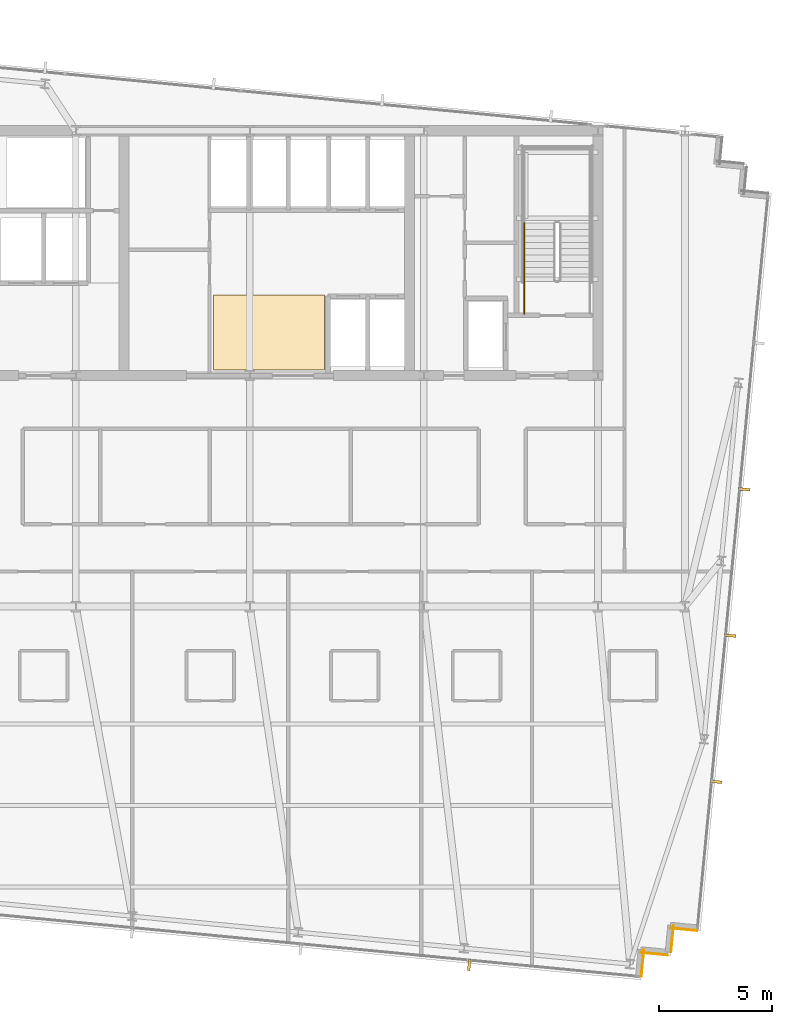
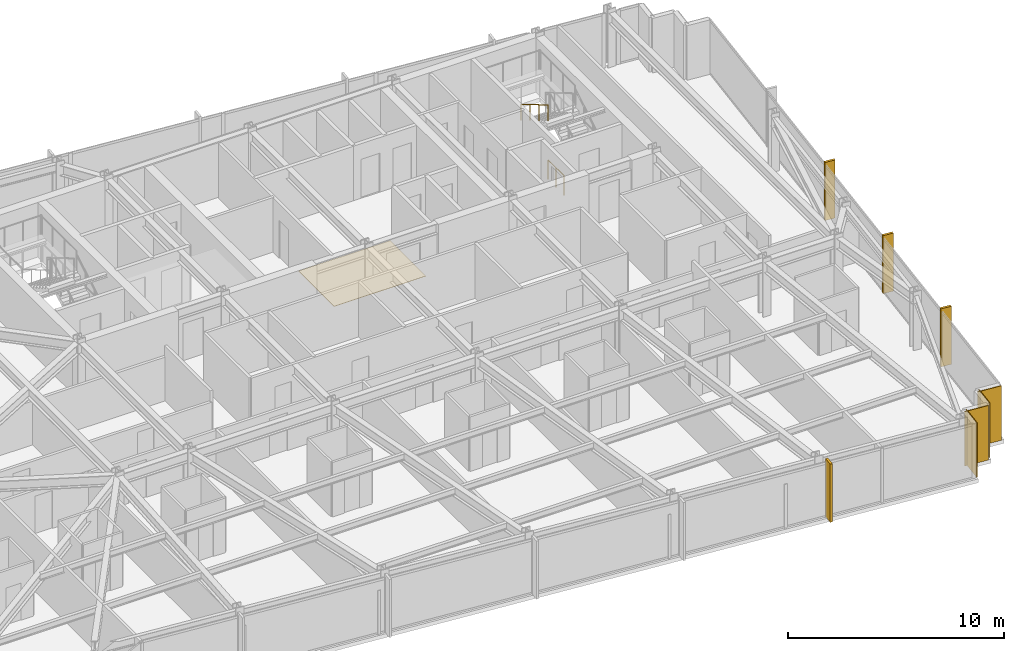
# One storey, part 35 of 38: 5 coverings, 4 shading devices, 2 railings.
"""IFC4 building model written with IfcOpenShell, lengths in metres."""

import ifcopenshell
import ifcopenshell.guid

model = None  # the IFC model being written
_history = None  # IfcOwnerHistory: only IFC2X3 demands one
_inside = {}  # id of a spatial element -> (the spatial element, [elements in it])
_under = {}  # id of a project, library or spatial element -> (it, [spatial elements below it])
_declared = {}  # id of a project -> (the project, [libraries it declares])
_typed = {}  # id of a type object -> (the type object, [elements of that type])
_made_of = {}  # id of a material, layer set ... -> (it, [elements and type objects made of it])


def new_model(schema):
    """Start an empty IFC model of exactly this schema.

    Asked for "IFC4X3", IfcOpenShell would pick the latest addendum, in which some entities
    have other attributes; the version numbers below select the first issue.
    IFC2X3 requires an IfcOwnerHistory on every rooted entity: one is made here for all.
    """
    global model, _history
    if schema == "IFC4X3":
        model = ifcopenshell.file(schema_version=(4, 3, 0, 0))
    else:
        model = ifcopenshell.file(schema=schema)
    _inside.clear()
    _under.clear()
    _declared.clear()
    _typed.clear()
    _made_of.clear()
    _history = None
    if model.schema == "IFC2X3":
        org = make("IfcOrganization", Name="unknown")
        user = make(
            "IfcPersonAndOrganization",
            ThePerson=make("IfcPerson", FamilyName="unknown"),
            TheOrganization=org,
        )
        app = make(
            "IfcApplication",
            ApplicationDeveloper=org,
            Version="unknown",
            ApplicationFullName="unknown",
            ApplicationIdentifier="unknown",
        )
        _history = make(
            "IfcOwnerHistory",
            OwningUser=user,
            OwningApplication=app,
            ChangeAction="ADDED",
            CreationDate=0,
        )
    return model


def make(cls, **values):
    """One entity of the class cls with the attributes given. An attribute that is None is left unset."""
    return model.create_entity(
        cls, **{name: value for name, value in values.items() if value is not None}
    )


def rooted(cls, **values):
    """An entity with a GlobalId (a new one), such as an element, a storey or a relation."""
    return make(cls, GlobalId=ifcopenshell.guid.new(), OwnerHistory=_history, **values)


def si_unit(unit_type, name, prefix=None):
    """IfcSIUnit, for example si_unit("LENGTHUNIT", "METRE", prefix="MILLI")."""
    return make("IfcSIUnit", UnitType=unit_type, Prefix=prefix, Name=name)


def assignment(units):
    """IfcUnitAssignment: the units of a project."""
    return None if units is None else make("IfcUnitAssignment", Units=units)


def point(xyz):
    """IfcCartesianPoint."""
    return None if xyz is None else make("IfcCartesianPoint", Coordinates=xyz)


def direction(xyz):
    """IfcDirection."""
    return None if xyz is None else make("IfcDirection", DirectionRatios=xyz)


def frame(location, z_axis=None, x_axis=None):
    """IfcAxis2Placement3D, a coordinate frame: its origin and axes. An axis left out is left unset."""
    return make(
        "IfcAxis2Placement3D",
        Location=point(location),
        Axis=direction(z_axis),
        RefDirection=direction(x_axis),
    )


def frame_2d(location, x_axis=None):
    """IfcAxis2Placement2D, a coordinate frame in the plane: its origin and x axis."""
    return make(
        "IfcAxis2Placement2D", Location=point(location), RefDirection=direction(x_axis)
    )


def origin():
    """The frame at (0, 0, 0) with its axes left unset."""
    return frame((0.0, 0.0, 0.0))


def origin_2d():
    """The frame at (0, 0) in the plane with its x axis left unset."""
    return frame_2d((0.0, 0.0))


def place(relative_to, where):
    """IfcLocalPlacement: puts the frame where relative to a parent placement (None: the world)."""
    return make(
        "IfcLocalPlacement", PlacementRelTo=relative_to, RelativePlacement=where
    )


def context(
    kind, dimensions, precision=None, world=None, true_north=None, identifier=None
):
    """IfcGeometricRepresentationContext, for example the 3D "Model" context."""
    return make(
        "IfcGeometricRepresentationContext",
        ContextIdentifier=identifier,
        ContextType=kind,
        CoordinateSpaceDimension=dimensions,
        Precision=precision,
        WorldCoordinateSystem=world,
        TrueNorth=true_north,
    )


def subcontext(parent, identifier, kind, view, scale=None):
    """IfcGeometricRepresentationSubContext, for example "Body" below "Model"."""
    return make(
        "IfcGeometricRepresentationSubContext",
        ContextIdentifier=identifier,
        ContextType=kind,
        ParentContext=parent,
        TargetScale=scale,
        TargetView=view,
    )


def project(units=None, contexts=None):
    """IfcProject with its units and contexts."""
    return rooted(
        "IfcProject",
        Name="project",
        RepresentationContexts=contexts,
        UnitsInContext=assignment(units),
    )


def spatial(cls, under=None, at=None, **own):
    """A site, building, storey or space (cls), placed at a placement, below another one or the project."""
    s = rooted(cls, ObjectPlacement=at, **own)
    if under is not None:
        _under.setdefault(under.id(), (under, []))[1].append(s)
    return s


def polyline(points):
    """IfcPolyline through the points."""
    return make("IfcPolyline", Points=[point(p) for p in points])


def profile(cls, at=None, kind="AREA", **sizes):
    """A parametric profile (cls). Its sizes go by their IFC names, for example OverallWidth=200.0."""
    return make(cls, ProfileType=kind, Position=at, **sizes)


def rectangle(**sizes):
    """IfcRectangleProfileDef."""
    return profile("IfcRectangleProfileDef", **sizes)


def circle(**sizes):
    """IfcCircleProfileDef."""
    return profile("IfcCircleProfileDef", **sizes)


def outline(outer, holes=None, kind="AREA"):
    """IfcArbitraryClosedProfileDef: a profile drawn as a closed curve; with holes, ...WithVoids."""
    if holes is None:
        return make("IfcArbitraryClosedProfileDef", ProfileType=kind, OuterCurve=outer)
    return make(
        "IfcArbitraryProfileDefWithVoids",
        ProfileType=kind,
        OuterCurve=outer,
        InnerCurves=holes,
    )


def extrude(swept, where, along, depth):
    """IfcExtrudedAreaSolid: the profile swept, set in the frame where, extruded along a direction by depth."""
    return make(
        "IfcExtrudedAreaSolid",
        SweptArea=swept,
        Position=where,
        ExtrudedDirection=direction(along),
        Depth=depth,
    )


def shape(context_of_items, identifier, shape_type, items):
    """IfcShapeRepresentation: the items that make up one representation, for example the "Body"."""
    return make(
        "IfcShapeRepresentation",
        ContextOfItems=context_of_items,
        RepresentationIdentifier=identifier,
        RepresentationType=shape_type,
        Items=items,
    )


def material(Name=None, Category=None):
    """IfcMaterial."""
    return make("IfcMaterial", Name=Name, Category=Category)


def layer(
    of_material, thickness, ventilated=None, Name=None, Category=None, Priority=None
):
    """IfcMaterialLayer: one layer of a wall or slab, of a material (None: an air gap)."""
    return make(
        "IfcMaterialLayer",
        Material=of_material,
        LayerThickness=thickness,
        IsVentilated=ventilated,
        Name=Name,
        Category=Category,
        Priority=Priority,
    )


def layer_set(layers, Name=None):
    """IfcMaterialLayerSet."""
    return make("IfcMaterialLayerSet", MaterialLayers=layers, LayerSetName=Name)


def made_of(thing, what):
    """Note that an element or type object is made of a material, layer set ...; save() writes the relation."""
    if what is not None:
        _made_of.setdefault(what.id(), (what, []))[1].append(thing)
    return thing


def type_object(cls, material=None, **own):
    """A type object (cls), such as IfcWallType, which elements share."""
    return made_of(rooted(cls, **own), material)


def element(
    cls,
    number,
    at=None,
    inside=None,
    cuts=None,
    type_object=None,
    material=None,
    context=None,
    identifier="Body",
    shape_type=None,
    held_by="IfcProductDefinitionShape",
    body=None,
    shapes=None,
    **own,
):
    """One element of the class cls, such as IfcWall. Its Tag is "e" and its number.

    at: its placement. inside: the storey or other place that contains it. cuts: it is an
    opening in that element (IfcRelVoidsElement). A single representation is given by context,
    identifier, shape_type and body (its items); several are given by shapes. held_by: the class
    of the entity that holds the representations. save() writes the other relations.
    """
    e = rooted(cls, Tag="e%d" % number, ObjectPlacement=at, **own)
    if body is not None:
        shapes = [shape(context, identifier, shape_type, body)]
    if shapes is not None:
        e.Representation = make(held_by, Representations=shapes)
    if inside is not None:
        _inside.setdefault(inside.id(), (inside, []))[1].append(e)
    if cuts is not None:
        rooted(
            "IfcRelVoidsElement", RelatingBuildingElement=cuts, RelatedOpeningElement=e
        )
    if type_object is not None:
        _typed.setdefault(type_object.id(), (type_object, []))[1].append(e)
    return made_of(e, material)


def aggregate(whole, parts):
    """IfcRelAggregates: a whole, such as a stair, and the parts it consists of."""
    return rooted("IfcRelAggregates", RelatingObject=whole, RelatedObjects=parts)


def save(model, path):
    """Write the relations noted so far, then the file.

    IfcRelAggregates (storeys below a building ...), IfcRelContainedInSpatialStructure (elements
    in a storey), IfcRelDefinesByType, IfcRelAssociatesMaterial and IfcRelDeclares: one each for
    every whole, place, type object, material and project.
    """
    for whole, parts in _under.values():
        aggregate(whole, parts)
    for where, things in _inside.values():
        rooted(
            "IfcRelContainedInSpatialStructure",
            RelatedElements=things,
            RelatingStructure=where,
        )
    for kind, things in _typed.values():
        rooted("IfcRelDefinesByType", RelatedObjects=things, RelatingType=kind)
    for what, things in _made_of.values():
        rooted("IfcRelAssociatesMaterial", RelatedObjects=things, RelatingMaterial=what)
    for by, libraries in _declared.values():
        rooted("IfcRelDeclares", RelatingContext=by, RelatedDefinitions=libraries)
    model.write(path)


model = new_model("IFC4")

# Units and contexts
model_context = context("Model", 3, precision=1e-05, world=origin(), true_north=direction((0.0, 1.0)))
body_context = subcontext(model_context, "Body", "Model", "MODEL_VIEW")
ifc_project = project(units=[si_unit("LENGTHUNIT", "METRE"), si_unit("AREAUNIT", "SQUARE_METRE"), si_unit("VOLUMEUNIT", "CUBIC_METRE"), si_unit("PLANEANGLEUNIT", "RADIAN"), si_unit("MASSUNIT", "GRAM", prefix="KILO")], contexts=[model_context])

# Site, building, storey
site_placement = place(None, origin())
site = spatial("IfcSite", under=ifc_project, at=site_placement, CompositionType="ELEMENT")
building_placement = place(site_placement, origin())
building = spatial("IfcBuilding", under=site, at=building_placement, Name="Yelkora Congress Tower", CompositionType="ELEMENT")
storey_placement = place(building_placement, frame((0.0, 0.0, 172.10009765625)))
storey = spatial("IfcBuildingStorey", under=building, at=storey_placement, Name="L47", CompositionType="ELEMENT", Elevation=172.10009765625)

# Coverings
ifc_material_1 = material(Name="Anatolian bush-hammered limestone", Category="masonry")
ifc_layer_1 = layer(ifc_material_1, 0.0400390625)
ifc_layer_set_1 = layer_set([ifc_layer_1], Name="Anatolian bush-hammered limestone")
covering_type_1 = type_object("IfcCoveringType", Name="COV-CLAD-SPANDREL-40", PredefinedType="CLADDING", material=ifc_layer_set_1)
covering_1_placement = place(storey_placement, frame((58.1474609375, 10.898681640625, 0.0), z_axis=(0.0, 0.0, 1.0), x_axis=(-0.995379537303, 0.096018626938, 0.0)))
element("IfcCovering", 1, at=covering_1_placement, inside=storey, type_object=covering_type_1, Name="L47 Anatolian Limestone Cladding EW-L47-SR16", PredefinedType="CLADDING", context=body_context, shape_type="SweptSolid", body=[
    extrude(rectangle(XDim=1.2001953125, YDim=0.0400390625, at=frame_2d((0.60009765625, 0.0))), origin(), (0.0, 0.0, 1.0), 3.079833984375),
])
covering_2_placement = place(storey_placement, frame((57.10009765625, 11.13525390625, 0.0), z_axis=(0.0, 0.0, 1.0), x_axis=(-0.095836473879, -0.995397091755, 0.0)))
element("IfcCovering", 2, at=covering_2_placement, inside=storey, type_object=covering_type_1, Name="L47 Anatolian Limestone Cladding EW-L47-SR17", PredefinedType="CLADDING", context=body_context, shape_type="SweptSolid", body=[
    extrude(rectangle(XDim=1.199951171875, YDim=0.0400390625, at=frame_2d((0.60009765625, 0.0))), origin(), (0.0, 0.0, 1.0), 3.079833984375),
])
for number, where, z_axis, x_axis, name in (
    (3, (56.837890625, 9.8193359375, 0.0), (0.0, 0.0, 1.0), (-0.995398960025, 0.095817067274, 0.0), "L47 Anatolian Limestone Cladding EW-L47-SR18"),
    (4, (55.790771484375, 10.055908203125, 0.0), (0.0, 0.0, 1.0), (-0.095817067274, -0.995398960025, 0.0), "L47 Anatolian Limestone Cladding EW-L47-SR19"),
):
    element("IfcCovering", number, at=place(storey_placement, frame(where, z_axis=z_axis, x_axis=x_axis)), inside=storey, type_object=covering_type_1, Name=name, PredefinedType="CLADDING", context=body_context, shape_type="SweptSolid", body=[
        extrude(rectangle(XDim=1.2001953125, YDim=0.0400390625, at=frame_2d((0.60009765625, 0.0))), origin(), (0.0, 0.0, 1.0), 3.079833984375),
    ])
ifc_material_2 = material(Name="Polished Anatolian grey granite tile", Category="masonry")
ifc_layer_2 = layer(ifc_material_2, 0.02001953125)
ifc_layer_set_2 = layer_set([ifc_layer_2], Name="Polished Anatolian grey granite tile")
covering_type_2 = type_object("IfcCoveringType", Name="COV-FLOOR-GRANITE-20", PredefinedType="FLOORING", material=ifc_layer_set_2)
covering_3_placement = place(storey_placement, origin())
element("IfcCovering", 5, at=covering_3_placement, inside=storey, type_object=covering_type_2, Name="L47 Lift Lobby Granite Flooring", PredefinedType="FLOORING", context=body_context, shape_type="SweptSolid", body=[
    extrude(outline(polyline([(36.800048828125, 35.64990234375), (41.699951171875, 35.64990234375), (41.699951171875, 38.949951171875), (36.800048828125, 38.949951171875), (36.800048828125, 35.64990234375)])), origin(), (0.0, 0.0, 1.0), 0.02001953125),
])

# Railings
ifc_material_3 = material(Name="Painted galvanised steel stair well guard with vertical infill", Category="steel")
ifc_layer_3 = layer(ifc_material_3, 0.06005859375)
ifc_layer_set_3 = layer_set([ifc_layer_3], Name="Painted galvanised steel stair well guard with vertical infill")
railing_type_1 = type_object("IfcRailingType", Name="RAIL-STAIR-GUARD-1120", PredefinedType="GUARDRAIL", material=ifc_layer_set_3)
railing_1_placement = place(storey_placement, frame((50.510009765625, 38.1201171875, 0.0)))
element("IfcRailing", 6, at=railing_1_placement, inside=storey, type_object=railing_type_1, Name="ST-02 L47 Stair Well Guardrail 9", PredefinedType="GUARDRAIL", context=body_context, shape_type="SweptSolid", body=[
    extrude(circle(Radius=0.02392578125, at=origin_2d()), frame((0.0, 0.0, 1.09619140625), z_axis=(0.0, 1.0, 0.0), x_axis=(-1.0, 0.0, 0.0)), (0.0, 0.0, 1.0), 1.47998046875),
    extrude(circle(Radius=0.02099609375, at=origin_2d()), origin(), (0.0, 0.0, 1.0), 1.072021484375),
    extrude(circle(Radius=0.02099609375, at=origin_2d()), frame((0.0, 0.739990234375, 0.0)), (0.0, 0.0, 1.0), 1.072021484375),
    extrude(circle(Radius=0.02099609375, at=origin_2d()), frame((0.0, 1.47998046875, 0.0)), (0.0, 0.0, 1.0), 1.072021484375),
])
ifc_material_4 = material(Name="Brushed stainless steel tubular handrail", Category="steel")
ifc_layer_4 = layer(ifc_material_4, 0.050048828125)
ifc_layer_set_4 = layer_set([ifc_layer_4], Name="Brushed stainless steel tubular handrail")
railing_type_2 = type_object("IfcRailingType", Name="RAIL-STAIR-HAND-920", PredefinedType="HANDRAIL", material=ifc_layer_set_4)
railing_2_placement = place(storey_placement, frame((50.510009765625, 42.1201171875, 1.81494140625)))
element("IfcRailing", 7, at=railing_2_placement, inside=storey, type_object=railing_type_2, Name="ST-02 L47 Pitch Handrail 2", PredefinedType="HANDRAIL", context=body_context, shape_type="SweptSolid", body=[
    extrude(circle(Radius=0.02392578125, at=origin_2d()), frame((0.0, 0.0, 0.89599609375), z_axis=(0.0, -0.861560626758, 0.507654692109), x_axis=(1.0, 0.0, 0.0)), (0.0, 0.0, 1.0), 2.925048828125),
    extrude(circle(Radius=0.02099609375, at=origin_2d()), origin(), (0.0, 0.0, 1.0), 0.871826171875),
    extrude(circle(Radius=0.02099609375, at=origin_2d()), frame((0.0, -0.840087890625, 0.494873046875)), (0.0, 0.0, 1.0), 0.871826171875),
    extrude(circle(Radius=0.02099609375, at=origin_2d()), frame((0.0, -1.679931640625, 0.989990234375)), (0.0, 0.0, 1.0), 0.871826171875),
    extrude(circle(Radius=0.02099609375, at=origin_2d()), frame((0.0, -2.52001953125, 1.48486328125)), (0.0, 0.0, 1.0), 0.871826171875),
])

# Shading devices
ifc_material_5 = material(Name="Champagne anodised aluminium", Category="aluminium")
ifc_layer_5 = layer(ifc_material_5, 3.300048828125)
ifc_layer_set_5 = layer_set([ifc_layer_5], Name="Champagne anodised aluminium")
shading_device_type = type_object("IfcShadingDeviceType", Name="SHD-FIN-ALU-520", PredefinedType="USERDEFINED", material=ifc_layer_set_5)
for number, where, z_axis, x_axis, name in (
    (8, (60.223876953125, 30.37646484375, -0.0302734375), (0.0, 0.0, 1.0), (-0.09584575252, -0.995396198367, 0.0), "L47 Vertical Anodised Solar Fin 15-2"),
    (9, (59.602294921875, 23.92236328125, -0.0302734375), (0.0, 0.0, 1.0), (-0.09584575252, -0.995396198367, 0.0), "L47 Vertical Anodised Solar Fin 15-3"),
    (10, (58.98095703125, 17.46826171875, -0.0302734375), (0.0, 0.0, 1.0), (-0.09584575252, -0.995396198367, 0.0), "L47 Vertical Anodised Solar Fin 15-4"),
    (11, (48.082275390625, 9.3916015625, -0.0302734375), (0.0, 0.0, 1.0), (-0.995396198367, 0.09584575252, 0.0), "L47 Vertical Anodised Solar Fin 20-1"),
):
    element("IfcShadingDevice", number, at=place(storey_placement, frame(where, z_axis=z_axis, x_axis=x_axis)), inside=storey, type_object=shading_device_type, Name=name, ObjectType="FIN", PredefinedType="USERDEFINED", context=body_context, shape_type="SweptSolid", body=[
        extrude(rectangle(XDim=0.1201171875, YDim=0.52001953125, at=origin_2d()), origin(), (0.0, 0.0, 1.0), 3.280029296875),
    ])

save(model, "model.ifc")
